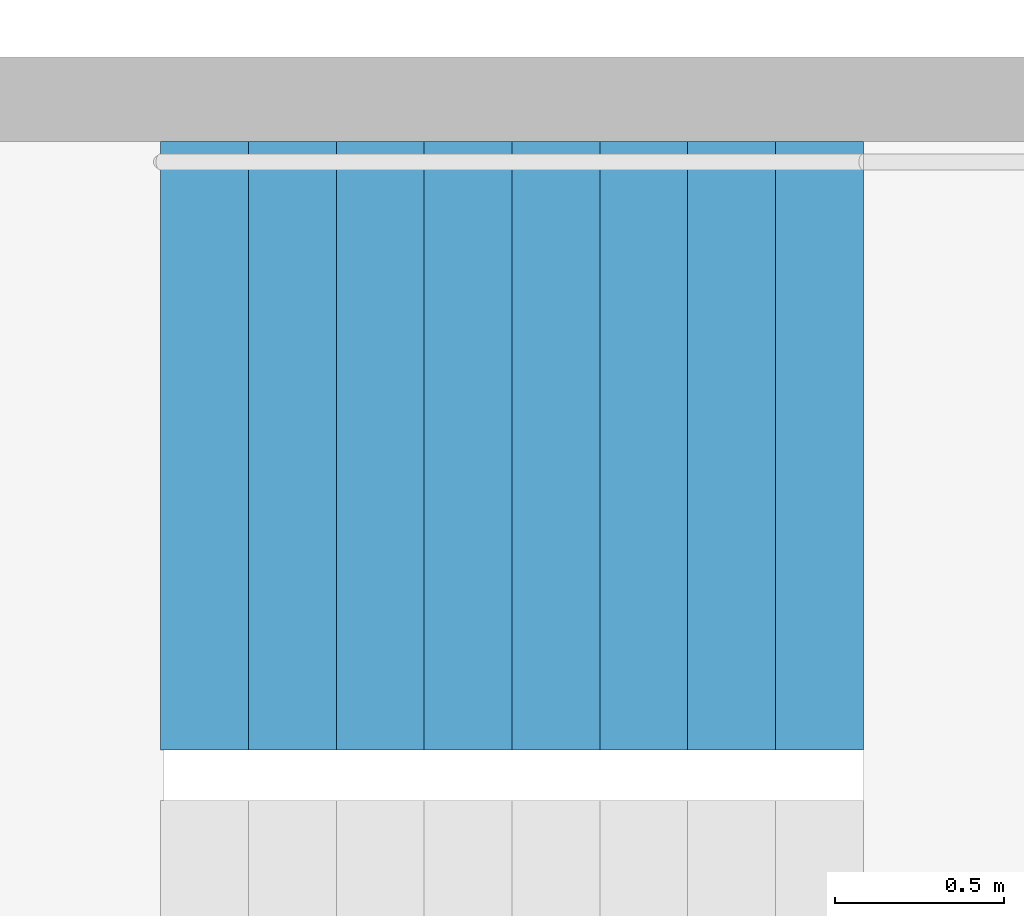
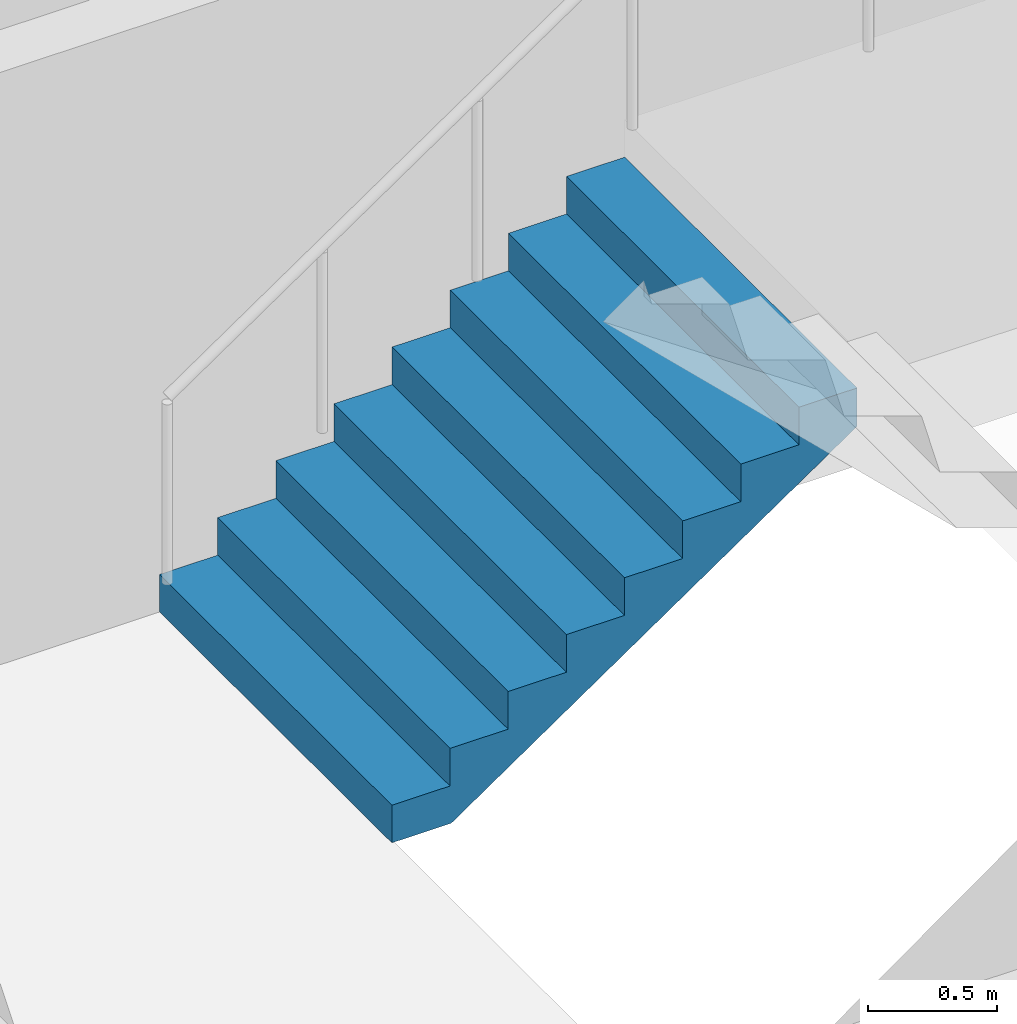
# One storey, part 25 of 34: 1 stair flight, 1 element without a shape of its own.
"""IFC4 building model written with IfcOpenShell, lengths in metres."""

import ifcopenshell
import ifcopenshell.guid

model = None  # the IFC model being written
_history = None  # IfcOwnerHistory: only IFC2X3 demands one
_inside = {}  # id of a spatial element -> (the spatial element, [elements in it])
_under = {}  # id of a project, library or spatial element -> (it, [spatial elements below it])
_declared = {}  # id of a project -> (the project, [libraries it declares])
_typed = {}  # id of a type object -> (the type object, [elements of that type])
_made_of = {}  # id of a material, layer set ... -> (it, [elements and type objects made of it])


def new_model(schema):
    """Start an empty IFC model of exactly this schema.

    Asked for "IFC4X3", IfcOpenShell would pick the latest addendum, in which some entities
    have other attributes; the version numbers below select the first issue.
    IFC2X3 requires an IfcOwnerHistory on every rooted entity: one is made here for all.
    """
    global model, _history
    if schema == "IFC4X3":
        model = ifcopenshell.file(schema_version=(4, 3, 0, 0))
    else:
        model = ifcopenshell.file(schema=schema)
    _inside.clear()
    _under.clear()
    _declared.clear()
    _typed.clear()
    _made_of.clear()
    _history = None
    if model.schema == "IFC2X3":
        org = make("IfcOrganization", Name="unknown")
        user = make(
            "IfcPersonAndOrganization",
            ThePerson=make("IfcPerson", FamilyName="unknown"),
            TheOrganization=org,
        )
        app = make(
            "IfcApplication",
            ApplicationDeveloper=org,
            Version="unknown",
            ApplicationFullName="unknown",
            ApplicationIdentifier="unknown",
        )
        _history = make(
            "IfcOwnerHistory",
            OwningUser=user,
            OwningApplication=app,
            ChangeAction="ADDED",
            CreationDate=0,
        )
    return model


def make(cls, **values):
    """One entity of the class cls with the attributes given. An attribute that is None is left unset."""
    return model.create_entity(
        cls, **{name: value for name, value in values.items() if value is not None}
    )


def rooted(cls, **values):
    """An entity with a GlobalId (a new one), such as an element, a storey or a relation."""
    return make(cls, GlobalId=ifcopenshell.guid.new(), OwnerHistory=_history, **values)


def si_unit(unit_type, name, prefix=None):
    """IfcSIUnit, for example si_unit("LENGTHUNIT", "METRE", prefix="MILLI")."""
    return make("IfcSIUnit", UnitType=unit_type, Prefix=prefix, Name=name)


def assignment(units):
    """IfcUnitAssignment: the units of a project."""
    return None if units is None else make("IfcUnitAssignment", Units=units)


def point(xyz):
    """IfcCartesianPoint."""
    return None if xyz is None else make("IfcCartesianPoint", Coordinates=xyz)


def direction(xyz):
    """IfcDirection."""
    return None if xyz is None else make("IfcDirection", DirectionRatios=xyz)


def frame(location, z_axis=None, x_axis=None):
    """IfcAxis2Placement3D, a coordinate frame: its origin and axes. An axis left out is left unset."""
    return make(
        "IfcAxis2Placement3D",
        Location=point(location),
        Axis=direction(z_axis),
        RefDirection=direction(x_axis),
    )


def origin():
    """The frame at (0, 0, 0) with its axes left unset."""
    return frame((0.0, 0.0, 0.0))


def place(relative_to, where):
    """IfcLocalPlacement: puts the frame where relative to a parent placement (None: the world)."""
    return make(
        "IfcLocalPlacement", PlacementRelTo=relative_to, RelativePlacement=where
    )


def context(
    kind, dimensions, precision=None, world=None, true_north=None, identifier=None
):
    """IfcGeometricRepresentationContext, for example the 3D "Model" context."""
    return make(
        "IfcGeometricRepresentationContext",
        ContextIdentifier=identifier,
        ContextType=kind,
        CoordinateSpaceDimension=dimensions,
        Precision=precision,
        WorldCoordinateSystem=world,
        TrueNorth=true_north,
    )


def subcontext(parent, identifier, kind, view, scale=None):
    """IfcGeometricRepresentationSubContext, for example "Body" below "Model"."""
    return make(
        "IfcGeometricRepresentationSubContext",
        ContextIdentifier=identifier,
        ContextType=kind,
        ParentContext=parent,
        TargetScale=scale,
        TargetView=view,
    )


def project(units=None, contexts=None):
    """IfcProject with its units and contexts."""
    return rooted(
        "IfcProject",
        Name="project",
        RepresentationContexts=contexts,
        UnitsInContext=assignment(units),
    )


def spatial(cls, under=None, at=None, **own):
    """A site, building, storey or space (cls), placed at a placement, below another one or the project."""
    s = rooted(cls, ObjectPlacement=at, **own)
    if under is not None:
        _under.setdefault(under.id(), (under, []))[1].append(s)
    return s


def point_list(points):
    """IfcCartesianPointList2D or 3D."""
    cls = (
        "IfcCartesianPointList2D" if len(points[0]) == 2 else "IfcCartesianPointList3D"
    )
    return make(cls, CoordList=points)


def triangles(points, corners, closed=None, point_numbers=None):
    """IfcTriangulatedFaceSet: each triangle names its three corners, points numbered from 1."""
    return make(
        "IfcTriangulatedFaceSet",
        Coordinates=point_list(points),
        Closed=closed,
        CoordIndex=corners,
        PnIndex=point_numbers,
    )


def shape(context_of_items, identifier, shape_type, items):
    """IfcShapeRepresentation: the items that make up one representation, for example the "Body"."""
    return make(
        "IfcShapeRepresentation",
        ContextOfItems=context_of_items,
        RepresentationIdentifier=identifier,
        RepresentationType=shape_type,
        Items=items,
    )


def material(Name=None, Category=None):
    """IfcMaterial."""
    return make("IfcMaterial", Name=Name, Category=Category)


def made_of(thing, what):
    """Note that an element or type object is made of a material, layer set ...; save() writes the relation."""
    if what is not None:
        _made_of.setdefault(what.id(), (what, []))[1].append(thing)
    return thing


def type_object(cls, material=None, **own):
    """A type object (cls), such as IfcWallType, which elements share."""
    return made_of(rooted(cls, **own), material)


def element(
    cls,
    number,
    at=None,
    inside=None,
    cuts=None,
    type_object=None,
    material=None,
    context=None,
    identifier="Body",
    shape_type=None,
    held_by="IfcProductDefinitionShape",
    body=None,
    shapes=None,
    **own,
):
    """One element of the class cls, such as IfcWall. Its Tag is "e" and its number.

    at: its placement. inside: the storey or other place that contains it. cuts: it is an
    opening in that element (IfcRelVoidsElement). A single representation is given by context,
    identifier, shape_type and body (its items); several are given by shapes. held_by: the class
    of the entity that holds the representations. save() writes the other relations.
    """
    e = rooted(cls, Tag="e%d" % number, ObjectPlacement=at, **own)
    if body is not None:
        shapes = [shape(context, identifier, shape_type, body)]
    if shapes is not None:
        e.Representation = make(held_by, Representations=shapes)
    if inside is not None:
        _inside.setdefault(inside.id(), (inside, []))[1].append(e)
    if cuts is not None:
        rooted(
            "IfcRelVoidsElement", RelatingBuildingElement=cuts, RelatedOpeningElement=e
        )
    if type_object is not None:
        _typed.setdefault(type_object.id(), (type_object, []))[1].append(e)
    return made_of(e, material)


def aggregate(whole, parts):
    """IfcRelAggregates: a whole, such as a stair, and the parts it consists of."""
    return rooted("IfcRelAggregates", RelatingObject=whole, RelatedObjects=parts)


def save(model, path):
    """Write the relations noted so far, then the file.

    IfcRelAggregates (storeys below a building ...), IfcRelContainedInSpatialStructure (elements
    in a storey), IfcRelDefinesByType, IfcRelAssociatesMaterial and IfcRelDeclares: one each for
    every whole, place, type object, material and project.
    """
    for whole, parts in _under.values():
        aggregate(whole, parts)
    for where, things in _inside.values():
        rooted(
            "IfcRelContainedInSpatialStructure",
            RelatedElements=things,
            RelatingStructure=where,
        )
    for kind, things in _typed.values():
        rooted("IfcRelDefinesByType", RelatedObjects=things, RelatingType=kind)
    for what, things in _made_of.values():
        rooted("IfcRelAssociatesMaterial", RelatedObjects=things, RelatingMaterial=what)
    for by, libraries in _declared.values():
        rooted("IfcRelDeclares", RelatingContext=by, RelatedDefinitions=libraries)
    model.write(path)


model = new_model("IFC4")

# Units and contexts
model_context = context("Model", 3, precision=1e-05, world=origin(), true_north=direction((0.0, 1.0)))
body_context = subcontext(model_context, "Body", "Model", "MODEL_VIEW")
ifc_project = project(units=[si_unit("LENGTHUNIT", "METRE"), si_unit("AREAUNIT", "SQUARE_METRE"), si_unit("VOLUMEUNIT", "CUBIC_METRE"), si_unit("PLANEANGLEUNIT", "RADIAN"), si_unit("MASSUNIT", "GRAM", prefix="KILO")], contexts=[model_context])

# Site, building, storey
site_placement = place(None, origin())
site = spatial("IfcSite", under=ifc_project, at=site_placement, CompositionType="ELEMENT")
building_placement = place(site_placement, origin())
building = spatial("IfcBuilding", under=site, at=building_placement, Name="Hakoniwa Tower and Hamabe Station Hall", CompositionType="ELEMENT")
storey_placement = place(building_placement, frame((0.0, 0.0, 107.39990234375)))
storey = spatial("IfcBuildingStorey", under=building, at=storey_placement, Name="L30", CompositionType="ELEMENT", Elevation=107.39990234375)

# Stair, stair flight
ifc_material_1 = material(Name="Concrete C40", Category="concrete")
stair_type = type_object("IfcStairType", Name="ESCAPE STAIR 1800", PredefinedType="HALF_TURN_STAIR", material=ifc_material_1)
stair_placement = place(storey_placement, origin())
stair = element("IfcStair", 1, at=stair_placement, inside=storey, type_object=stair_type, Name="Escape stair ST-4 L30", PredefinedType="HALF_TURN_STAIR")
ifc_material_2 = material(Name="Concrete C40", Category="concrete")
stair_flight_type = type_object("IfcStairFlightType", Name="STAIR FLIGHT 1800", PredefinedType="STRAIGHT", material=ifc_material_2)
stair_flight_placement = place(storey_placement, frame((23.39990234375, -4.64990234375, 0.0), z_axis=(0.0, 0.0, 1.0), x_axis=(1.0, 0.0, 0.0)))
stair_flight = element("IfcStairFlight", 2, at=stair_flight_placement, type_object=stair_flight_type, Name="ST-4 flight 1", NumberOfRisers=9, NumberOfTreads=8, PredefinedType="STRAIGHT", RiserHeight=0.177777778, TreadLength=0.26, context=body_context, shape_type="Tessellation", body=[
    triangles([(0.0, 0.89990234375, 0.0), (0.260009765625, 0.89990234375, 0.0), (0.265625, 0.89990234375, 0.0), (0.52001953125, 0.89990234375, 0.174072265625), (0.780029296875, 0.89990234375, 0.351806640625), (1.0400390625, 0.89990234375, 0.529541015625), (1.300048828125, 0.89990234375, 0.707275390625), (1.56005859375, 0.89990234375, 0.885009765625), (1.820068359375, 0.89990234375, 1.062744140625), (2.080078125, 0.89990234375, 1.24072265625), (2.080078125, 0.89990234375, 1.422119140625), (1.820068359375, 0.89990234375, 1.422119140625), (1.820068359375, 0.89990234375, 1.244384765625), (1.56005859375, 0.89990234375, 1.244384765625), (1.56005859375, 0.89990234375, 1.066650390625), (1.300048828125, 0.89990234375, 1.066650390625), (1.300048828125, 0.89990234375, 0.888916015625), (1.0400390625, 0.89990234375, 0.888916015625), (1.0400390625, 0.89990234375, 0.711181640625), (0.780029296875, 0.89990234375, 0.711181640625), (0.780029296875, 0.89990234375, 0.533447265625), (0.52001953125, 0.89990234375, 0.533447265625), (0.52001953125, 0.89990234375, 0.35546875), (0.265625, 0.89990234375, 0.35546875), (0.260009765625, 0.89990234375, 0.35546875), (0.260009765625, 0.89990234375, 0.177734375), (0.0, 0.89990234375, 0.177734375), (0.0, 0.06005859375, 0.0), (0.260009765625, 0.06005859375, 0.0), (0.265625, 0.06005859375, 0.0), (0.52001953125, 0.06005859375, 0.174072265625), (0.780029296875, 0.06005859375, 0.351806640625), (1.0400390625, 0.06005859375, 0.529541015625), (1.300048828125, 0.06005859375, 0.707275390625), (1.56005859375, 0.06005859375, 0.885009765625), (1.820068359375, 0.06005859375, 1.062744140625), (2.080078125, 0.06005859375, 1.24072265625), (2.080078125, 0.06005859375, 1.422119140625), (1.820068359375, 0.06005859375, 1.422119140625), (1.820068359375, 0.06005859375, 1.244384765625), (1.56005859375, 0.06005859375, 1.244384765625), (1.56005859375, 0.06005859375, 1.066650390625), (1.300048828125, 0.06005859375, 1.066650390625), (1.300048828125, 0.06005859375, 0.888916015625), (1.0400390625, 0.06005859375, 0.888916015625), (1.0400390625, 0.06005859375, 0.711181640625), (0.780029296875, 0.06005859375, 0.711181640625), (0.780029296875, 0.06005859375, 0.533447265625), (0.52001953125, 0.06005859375, 0.533447265625), (0.52001953125, 0.06005859375, 0.35546875), (0.265625, 0.06005859375, 0.35546875), (0.260009765625, 0.06005859375, 0.35546875), (0.260009765625, 0.06005859375, 0.177734375), (0.0, 0.06005859375, 0.177734375), (0.0, 0.04296875, 0.0), (0.260009765625, 0.04296875, 0.0), (0.265625, 0.04296875, 0.0), (0.52001953125, 0.04296875, 0.174072265625), (0.780029296875, 0.04296875, 0.351806640625), (1.0400390625, 0.04296875, 0.529541015625), (1.300048828125, 0.04296875, 0.707275390625), (1.56005859375, 0.04296875, 0.885009765625), (1.820068359375, 0.04296875, 1.062744140625), (2.080078125, 0.04296875, 1.24072265625), (2.080078125, 0.04296875, 1.422119140625), (1.820068359375, 0.04296875, 1.422119140625), (1.820068359375, 0.04296875, 1.244384765625), (1.56005859375, 0.04296875, 1.244384765625), (1.56005859375, 0.04296875, 1.066650390625), (1.300048828125, 0.04296875, 1.066650390625), (1.300048828125, 0.04296875, 0.888916015625), (1.0400390625, 0.04296875, 0.888916015625), (1.0400390625, 0.04296875, 0.711181640625), (0.780029296875, 0.04296875, 0.711181640625), (0.780029296875, 0.04296875, 0.533447265625), (0.52001953125, 0.04296875, 0.533447265625), (0.52001953125, 0.04296875, 0.35546875), (0.265625, 0.04296875, 0.35546875), (0.260009765625, 0.04296875, 0.35546875), (0.260009765625, 0.04296875, 0.177734375), (0.0, 0.04296875, 0.177734375), (0.0, 0.025634765625, 0.0), (0.260009765625, 0.025634765625, 0.0), (0.265625, 0.025634765625, 0.0), (0.52001953125, 0.025634765625, 0.174072265625), (0.780029296875, 0.025634765625, 0.351806640625), (1.0400390625, 0.025634765625, 0.529541015625), (1.300048828125, 0.025634765625, 0.707275390625), (1.56005859375, 0.025634765625, 0.885009765625), (1.820068359375, 0.025634765625, 1.062744140625), (2.080078125, 0.025634765625, 1.24072265625), (2.080078125, 0.025634765625, 1.422119140625), (1.820068359375, 0.025634765625, 1.422119140625), (1.820068359375, 0.025634765625, 1.244384765625), (1.56005859375, 0.025634765625, 1.244384765625), (1.56005859375, 0.025634765625, 1.066650390625), (1.300048828125, 0.025634765625, 1.066650390625), (1.300048828125, 0.025634765625, 0.888916015625), (1.0400390625, 0.025634765625, 0.888916015625), (1.0400390625, 0.025634765625, 0.711181640625), (0.780029296875, 0.025634765625, 0.711181640625), (0.780029296875, 0.025634765625, 0.533447265625), (0.52001953125, 0.025634765625, 0.533447265625), (0.52001953125, 0.025634765625, 0.35546875), (0.265625, 0.025634765625, 0.35546875), (0.260009765625, 0.025634765625, 0.35546875), (0.260009765625, 0.025634765625, 0.177734375), (0.0, 0.025634765625, 0.177734375), (0.0, 0.008544921875, 0.0), (0.260009765625, 0.008544921875, 0.0), (0.265625, 0.008544921875, 0.0), (0.52001953125, 0.008544921875, 0.174072265625), (0.780029296875, 0.008544921875, 0.351806640625), (1.0400390625, 0.008544921875, 0.529541015625), (1.300048828125, 0.008544921875, 0.707275390625), (1.56005859375, 0.008544921875, 0.885009765625), (1.820068359375, 0.008544921875, 1.062744140625), (2.080078125, 0.008544921875, 1.24072265625), (2.080078125, 0.008544921875, 1.422119140625), (1.820068359375, 0.008544921875, 1.422119140625), (1.820068359375, 0.008544921875, 1.244384765625), (1.56005859375, 0.008544921875, 1.244384765625), (1.56005859375, 0.008544921875, 1.066650390625), (1.300048828125, 0.008544921875, 1.066650390625), (1.300048828125, 0.008544921875, 0.888916015625), (1.0400390625, 0.008544921875, 0.888916015625), (1.0400390625, 0.008544921875, 0.711181640625), (0.780029296875, 0.008544921875, 0.711181640625), (0.780029296875, 0.008544921875, 0.533447265625), (0.52001953125, 0.008544921875, 0.533447265625), (0.52001953125, 0.008544921875, 0.35546875), (0.265625, 0.008544921875, 0.35546875), (0.260009765625, 0.008544921875, 0.35546875), (0.260009765625, 0.008544921875, 0.177734375), (0.0, 0.008544921875, 0.177734375), (0.0, -0.008544921875, 0.0), (0.260009765625, -0.008544921875, 0.0), (0.265625, -0.008544921875, 0.0), (0.52001953125, -0.008544921875, 0.174072265625), (0.780029296875, -0.008544921875, 0.351806640625), (1.0400390625, -0.008544921875, 0.529541015625), (1.300048828125, -0.008544921875, 0.707275390625), (1.56005859375, -0.008544921875, 0.885009765625), (1.820068359375, -0.008544921875, 1.062744140625), (2.080078125, -0.008544921875, 1.24072265625), (2.080078125, -0.008544921875, 1.422119140625), (1.820068359375, -0.008544921875, 1.422119140625), (1.820068359375, -0.008544921875, 1.244384765625), (1.56005859375, -0.008544921875, 1.244384765625), (1.56005859375, -0.008544921875, 1.066650390625), (1.300048828125, -0.008544921875, 1.066650390625), (1.300048828125, -0.008544921875, 0.888916015625), (1.0400390625, -0.008544921875, 0.888916015625), (1.0400390625, -0.008544921875, 0.711181640625), (0.780029296875, -0.008544921875, 0.711181640625), (0.780029296875, -0.008544921875, 0.533447265625), (0.52001953125, -0.008544921875, 0.533447265625), (0.52001953125, -0.008544921875, 0.35546875), (0.265625, -0.008544921875, 0.35546875), (0.260009765625, -0.008544921875, 0.35546875), (0.260009765625, -0.008544921875, 0.177734375), (0.0, -0.008544921875, 0.177734375), (0.0, -0.025634765625, 0.0), (0.260009765625, -0.025634765625, 0.0), (0.265625, -0.025634765625, 0.0), (0.52001953125, -0.025634765625, 0.174072265625), (0.780029296875, -0.025634765625, 0.351806640625), (1.0400390625, -0.025634765625, 0.529541015625), (1.300048828125, -0.025634765625, 0.707275390625), (1.56005859375, -0.025634765625, 0.885009765625), (1.820068359375, -0.025634765625, 1.062744140625), (2.080078125, -0.025634765625, 1.24072265625), (2.080078125, -0.025634765625, 1.422119140625), (1.820068359375, -0.025634765625, 1.422119140625), (1.820068359375, -0.025634765625, 1.244384765625), (1.56005859375, -0.025634765625, 1.244384765625), (1.56005859375, -0.025634765625, 1.066650390625), (1.300048828125, -0.025634765625, 1.066650390625), (1.300048828125, -0.025634765625, 0.888916015625), (1.0400390625, -0.025634765625, 0.888916015625), (1.0400390625, -0.025634765625, 0.711181640625), (0.780029296875, -0.025634765625, 0.711181640625), (0.780029296875, -0.025634765625, 0.533447265625), (0.52001953125, -0.025634765625, 0.533447265625), (0.52001953125, -0.025634765625, 0.35546875), (0.265625, -0.025634765625, 0.35546875), (0.260009765625, -0.025634765625, 0.35546875), (0.260009765625, -0.025634765625, 0.177734375), (0.0, -0.025634765625, 0.177734375), (0.0, -0.04296875, 0.0), (0.260009765625, -0.04296875, 0.0), (0.265625, -0.04296875, 0.0), (0.52001953125, -0.04296875, 0.174072265625), (0.780029296875, -0.04296875, 0.351806640625), (1.0400390625, -0.04296875, 0.529541015625), (1.300048828125, -0.04296875, 0.707275390625), (1.56005859375, -0.04296875, 0.885009765625), (1.820068359375, -0.04296875, 1.062744140625), (2.080078125, -0.04296875, 1.24072265625), (2.080078125, -0.04296875, 1.422119140625), (1.820068359375, -0.04296875, 1.422119140625), (1.820068359375, -0.04296875, 1.244384765625), (1.56005859375, -0.04296875, 1.244384765625), (1.56005859375, -0.04296875, 1.066650390625), (1.300048828125, -0.04296875, 1.066650390625), (1.300048828125, -0.04296875, 0.888916015625), (1.0400390625, -0.04296875, 0.888916015625), (1.0400390625, -0.04296875, 0.711181640625), (0.780029296875, -0.04296875, 0.711181640625), (0.780029296875, -0.04296875, 0.533447265625), (0.52001953125, -0.04296875, 0.533447265625), (0.52001953125, -0.04296875, 0.35546875), (0.265625, -0.04296875, 0.35546875), (0.260009765625, -0.04296875, 0.35546875), (0.260009765625, -0.04296875, 0.177734375), (0.0, -0.04296875, 0.177734375), (0.0, -0.06005859375, 0.0), (0.260009765625, -0.06005859375, 0.0), (0.265625, -0.06005859375, 0.0), (0.52001953125, -0.06005859375, 0.174072265625), (0.780029296875, -0.06005859375, 0.351806640625), (1.0400390625, -0.06005859375, 0.529541015625), (1.300048828125, -0.06005859375, 0.707275390625), (1.56005859375, -0.06005859375, 0.885009765625), (1.820068359375, -0.06005859375, 1.062744140625), (2.080078125, -0.06005859375, 1.24072265625), (2.080078125, -0.06005859375, 1.422119140625), (1.820068359375, -0.06005859375, 1.422119140625), (1.820068359375, -0.06005859375, 1.244384765625), (1.56005859375, -0.06005859375, 1.244384765625), (1.56005859375, -0.06005859375, 1.066650390625), (1.300048828125, -0.06005859375, 1.066650390625), (1.300048828125, -0.06005859375, 0.888916015625), (1.0400390625, -0.06005859375, 0.888916015625), (1.0400390625, -0.06005859375, 0.711181640625), (0.780029296875, -0.06005859375, 0.711181640625), (0.780029296875, -0.06005859375, 0.533447265625), (0.52001953125, -0.06005859375, 0.533447265625), (0.52001953125, -0.06005859375, 0.35546875), (0.265625, -0.06005859375, 0.35546875), (0.260009765625, -0.06005859375, 0.35546875), (0.260009765625, -0.06005859375, 0.177734375), (0.0, -0.06005859375, 0.177734375), (0.0, -0.89990234375, 0.0), (0.260009765625, -0.89990234375, 0.0), (0.265625, -0.89990234375, 0.0), (0.52001953125, -0.89990234375, 0.174072265625), (0.780029296875, -0.89990234375, 0.351806640625), (1.0400390625, -0.89990234375, 0.529541015625), (1.300048828125, -0.89990234375, 0.707275390625), (1.56005859375, -0.89990234375, 0.885009765625), (1.820068359375, -0.89990234375, 1.062744140625), (2.080078125, -0.89990234375, 1.24072265625), (2.080078125, -0.89990234375, 1.422119140625), (1.820068359375, -0.89990234375, 1.422119140625), (1.820068359375, -0.89990234375, 1.244384765625), (1.56005859375, -0.89990234375, 1.244384765625), (1.56005859375, -0.89990234375, 1.066650390625), (1.300048828125, -0.89990234375, 1.066650390625), (1.300048828125, -0.89990234375, 0.888916015625), (1.0400390625, -0.89990234375, 0.888916015625), (1.0400390625, -0.89990234375, 0.711181640625), (0.780029296875, -0.89990234375, 0.711181640625), (0.780029296875, -0.89990234375, 0.533447265625), (0.52001953125, -0.89990234375, 0.533447265625), (0.52001953125, -0.89990234375, 0.35546875), (0.265625, -0.89990234375, 0.35546875), (0.260009765625, -0.89990234375, 0.35546875), (0.260009765625, -0.89990234375, 0.177734375), (0.0, -0.89990234375, 0.177734375)], [[2, 27, 26], [245, 269, 270], [2, 1, 27], [245, 270, 244], [3, 25, 24], [246, 267, 268], [3, 26, 25], [246, 268, 269], [3, 2, 26], [246, 269, 245], [4, 24, 23], [247, 266, 267], [4, 3, 24], [247, 267, 246], [5, 22, 21], [248, 264, 265], [5, 23, 22], [248, 265, 266], [5, 4, 23], [248, 266, 247], [6, 20, 19], [249, 262, 263], [6, 21, 20], [249, 263, 264], [6, 5, 21], [249, 264, 248], [7, 18, 17], [250, 260, 261], [7, 19, 18], [250, 261, 262], [7, 6, 19], [250, 262, 249], [8, 16, 15], [251, 258, 259], [8, 17, 16], [251, 259, 260], [8, 7, 17], [251, 260, 250], [9, 14, 13], [252, 256, 257], [9, 15, 14], [252, 257, 258], [9, 8, 15], [252, 258, 251], [10, 12, 11], [253, 254, 255], [10, 13, 12], [253, 255, 256], [10, 9, 13], [253, 256, 252], [1, 2, 29], [1, 29, 28], [28, 29, 56], [28, 56, 55], [55, 56, 83], [55, 83, 82], [82, 83, 110], [82, 110, 109], [109, 110, 137], [109, 137, 136], [136, 137, 164], [136, 164, 163], [163, 164, 191], [163, 191, 190], [190, 191, 218], [190, 218, 217], [217, 218, 245], [217, 245, 244], [2, 3, 30], [2, 30, 29], [29, 30, 57], [29, 57, 56], [56, 57, 84], [56, 84, 83], [83, 84, 111], [83, 111, 110], [110, 111, 138], [110, 138, 137], [137, 138, 165], [137, 165, 164], [164, 165, 192], [164, 192, 191], [191, 192, 219], [191, 219, 218], [218, 219, 246], [218, 246, 245], [3, 4, 31], [3, 31, 30], [30, 31, 58], [30, 58, 57], [57, 58, 85], [57, 85, 84], [84, 85, 112], [84, 112, 111], [111, 112, 139], [111, 139, 138], [138, 139, 166], [138, 166, 165], [165, 166, 193], [165, 193, 192], [192, 193, 220], [192, 220, 219], [219, 220, 247], [219, 247, 246], [4, 5, 32], [4, 32, 31], [31, 32, 59], [31, 59, 58], [58, 59, 86], [58, 86, 85], [85, 86, 113], [85, 113, 112], [112, 113, 140], [112, 140, 139], [139, 140, 167], [139, 167, 166], [166, 167, 194], [166, 194, 193], [193, 194, 221], [193, 221, 220], [220, 221, 248], [220, 248, 247], [5, 6, 33], [5, 33, 32], [32, 33, 60], [32, 60, 59], [59, 60, 87], [59, 87, 86], [86, 87, 114], [86, 114, 113], [113, 114, 141], [113, 141, 140], [140, 141, 168], [140, 168, 167], [167, 168, 195], [167, 195, 194], [194, 195, 222], [194, 222, 221], [221, 222, 249], [221, 249, 248], [6, 7, 34], [6, 34, 33], [33, 34, 61], [33, 61, 60], [60, 61, 88], [60, 88, 87], [87, 88, 115], [87, 115, 114], [114, 115, 142], [114, 142, 141], [141, 142, 169], [141, 169, 168], [168, 169, 196], [168, 196, 195], [195, 196, 223], [195, 223, 222], [222, 223, 250], [222, 250, 249], [7, 8, 35], [7, 35, 34], [34, 35, 62], [34, 62, 61], [61, 62, 89], [61, 89, 88], [88, 89, 116], [88, 116, 115], [115, 116, 143], [115, 143, 142], [142, 143, 170], [142, 170, 169], [169, 170, 197], [169, 197, 196], [196, 197, 224], [196, 224, 223], [223, 224, 251], [223, 251, 250], [8, 9, 36], [8, 36, 35], [35, 36, 63], [35, 63, 62], [62, 63, 90], [62, 90, 89], [89, 90, 117], [89, 117, 116], [116, 117, 144], [116, 144, 143], [143, 144, 171], [143, 171, 170], [170, 171, 198], [170, 198, 197], [197, 198, 225], [197, 225, 224], [224, 225, 252], [224, 252, 251], [9, 10, 37], [9, 37, 36], [36, 37, 64], [36, 64, 63], [63, 64, 91], [63, 91, 90], [90, 91, 118], [90, 118, 117], [117, 118, 145], [117, 145, 144], [144, 145, 172], [144, 172, 171], [171, 172, 199], [171, 199, 198], [198, 199, 226], [198, 226, 225], [225, 226, 253], [225, 253, 252], [10, 11, 38], [10, 38, 37], [37, 38, 65], [37, 65, 64], [64, 65, 92], [64, 92, 91], [91, 92, 119], [91, 119, 118], [118, 119, 146], [118, 146, 145], [145, 146, 173], [145, 173, 172], [172, 173, 200], [172, 200, 199], [199, 200, 227], [199, 227, 226], [226, 227, 254], [226, 254, 253], [11, 12, 39], [11, 39, 38], [38, 39, 66], [38, 66, 65], [65, 66, 93], [65, 93, 92], [92, 93, 120], [92, 120, 119], [119, 120, 147], [119, 147, 146], [146, 147, 174], [146, 174, 173], [173, 174, 201], [173, 201, 200], [200, 201, 228], [200, 228, 227], [227, 228, 255], [227, 255, 254], [12, 13, 40], [12, 40, 39], [39, 40, 67], [39, 67, 66], [66, 67, 94], [66, 94, 93], [93, 94, 121], [93, 121, 120], [120, 121, 148], [120, 148, 147], [147, 148, 175], [147, 175, 174], [174, 175, 202], [174, 202, 201], [201, 202, 229], [201, 229, 228], [228, 229, 256], [228, 256, 255], [13, 14, 41], [13, 41, 40], [40, 41, 68], [40, 68, 67], [67, 68, 95], [67, 95, 94], [94, 95, 122], [94, 122, 121], [121, 122, 149], [121, 149, 148], [148, 149, 176], [148, 176, 175], [175, 176, 203], [175, 203, 202], [202, 203, 230], [202, 230, 229], [229, 230, 257], [229, 257, 256], [14, 15, 42], [14, 42, 41], [41, 42, 69], [41, 69, 68], [68, 69, 96], [68, 96, 95], [95, 96, 123], [95, 123, 122], [122, 123, 150], [122, 150, 149], [149, 150, 177], [149, 177, 176], [176, 177, 204], [176, 204, 203], [203, 204, 231], [203, 231, 230], [230, 231, 258], [230, 258, 257], [15, 16, 43], [15, 43, 42], [42, 43, 70], [42, 70, 69], [69, 70, 97], [69, 97, 96], [96, 97, 124], [96, 124, 123], [123, 124, 151], [123, 151, 150], [150, 151, 178], [150, 178, 177], [177, 178, 205], [177, 205, 204], [204, 205, 232], [204, 232, 231], [231, 232, 259], [231, 259, 258], [16, 17, 44], [16, 44, 43], [43, 44, 71], [43, 71, 70], [70, 71, 98], [70, 98, 97], [97, 98, 125], [97, 125, 124], [124, 125, 152], [124, 152, 151], [151, 152, 179], [151, 179, 178], [178, 179, 206], [178, 206, 205], [205, 206, 233], [205, 233, 232], [232, 233, 260], [232, 260, 259], [17, 18, 45], [17, 45, 44], [44, 45, 72], [44, 72, 71], [71, 72, 99], [71, 99, 98], [98, 99, 126], [98, 126, 125], [125, 126, 153], [125, 153, 152], [152, 153, 180], [152, 180, 179], [179, 180, 207], [179, 207, 206], [206, 207, 234], [206, 234, 233], [233, 234, 261], [233, 261, 260], [18, 19, 46], [18, 46, 45], [45, 46, 73], [45, 73, 72], [72, 73, 100], [72, 100, 99], [99, 100, 127], [99, 127, 126], [126, 127, 154], [126, 154, 153], [153, 154, 181], [153, 181, 180], [180, 181, 208], [180, 208, 207], [207, 208, 235], [207, 235, 234], [234, 235, 262], [234, 262, 261], [19, 20, 47], [19, 47, 46], [46, 47, 74], [46, 74, 73], [73, 74, 101], [73, 101, 100], [100, 101, 128], [100, 128, 127], [127, 128, 155], [127, 155, 154], [154, 155, 182], [154, 182, 181], [181, 182, 209], [181, 209, 208], [208, 209, 236], [208, 236, 235], [235, 236, 263], [235, 263, 262], [20, 21, 48], [20, 48, 47], [47, 48, 75], [47, 75, 74], [74, 75, 102], [74, 102, 101], [101, 102, 129], [101, 129, 128], [128, 129, 156], [128, 156, 155], [155, 156, 183], [155, 183, 182], [182, 183, 210], [182, 210, 209], [209, 210, 237], [209, 237, 236], [236, 237, 264], [236, 264, 263], [21, 22, 49], [21, 49, 48], [48, 49, 76], [48, 76, 75], [75, 76, 103], [75, 103, 102], [102, 103, 130], [102, 130, 129], [129, 130, 157], [129, 157, 156], [156, 157, 184], [156, 184, 183], [183, 184, 211], [183, 211, 210], [210, 211, 238], [210, 238, 237], [237, 238, 265], [237, 265, 264], [22, 23, 50], [22, 50, 49], [49, 50, 77], [49, 77, 76], [76, 77, 104], [76, 104, 103], [103, 104, 131], [103, 131, 130], [130, 131, 158], [130, 158, 157], [157, 158, 185], [157, 185, 184], [184, 185, 212], [184, 212, 211], [211, 212, 239], [211, 239, 238], [238, 239, 266], [238, 266, 265], [23, 24, 51], [23, 51, 50], [50, 51, 78], [50, 78, 77], [77, 78, 105], [77, 105, 104], [104, 105, 132], [104, 132, 131], [131, 132, 159], [131, 159, 158], [158, 159, 186], [158, 186, 185], [185, 186, 213], [185, 213, 212], [212, 213, 240], [212, 240, 239], [239, 240, 267], [239, 267, 266], [24, 25, 52], [24, 52, 51], [51, 52, 79], [51, 79, 78], [78, 79, 106], [78, 106, 105], [105, 106, 133], [105, 133, 132], [132, 133, 160], [132, 160, 159], [159, 160, 187], [159, 187, 186], [186, 187, 214], [186, 214, 213], [213, 214, 241], [213, 241, 240], [240, 241, 268], [240, 268, 267], [25, 26, 53], [25, 53, 52], [52, 53, 80], [52, 80, 79], [79, 80, 107], [79, 107, 106], [106, 107, 134], [106, 134, 133], [133, 134, 161], [133, 161, 160], [160, 161, 188], [160, 188, 187], [187, 188, 215], [187, 215, 214], [214, 215, 242], [214, 242, 241], [241, 242, 269], [241, 269, 268], [26, 27, 54], [26, 54, 53], [53, 54, 81], [53, 81, 80], [80, 81, 108], [80, 108, 107], [107, 108, 135], [107, 135, 134], [134, 135, 162], [134, 162, 161], [161, 162, 189], [161, 189, 188], [188, 189, 216], [188, 216, 215], [215, 216, 243], [215, 243, 242], [242, 243, 270], [242, 270, 269], [27, 1, 28], [27, 28, 54], [54, 28, 55], [54, 55, 81], [81, 55, 82], [81, 82, 108], [108, 82, 109], [108, 109, 135], [135, 109, 136], [135, 136, 162], [162, 136, 163], [162, 163, 189], [189, 163, 190], [189, 190, 216], [216, 190, 217], [216, 217, 243], [243, 217, 244], [243, 244, 270]], closed=True),
])
aggregate(stair, [stair_flight])

save(model, "model.ifc")
